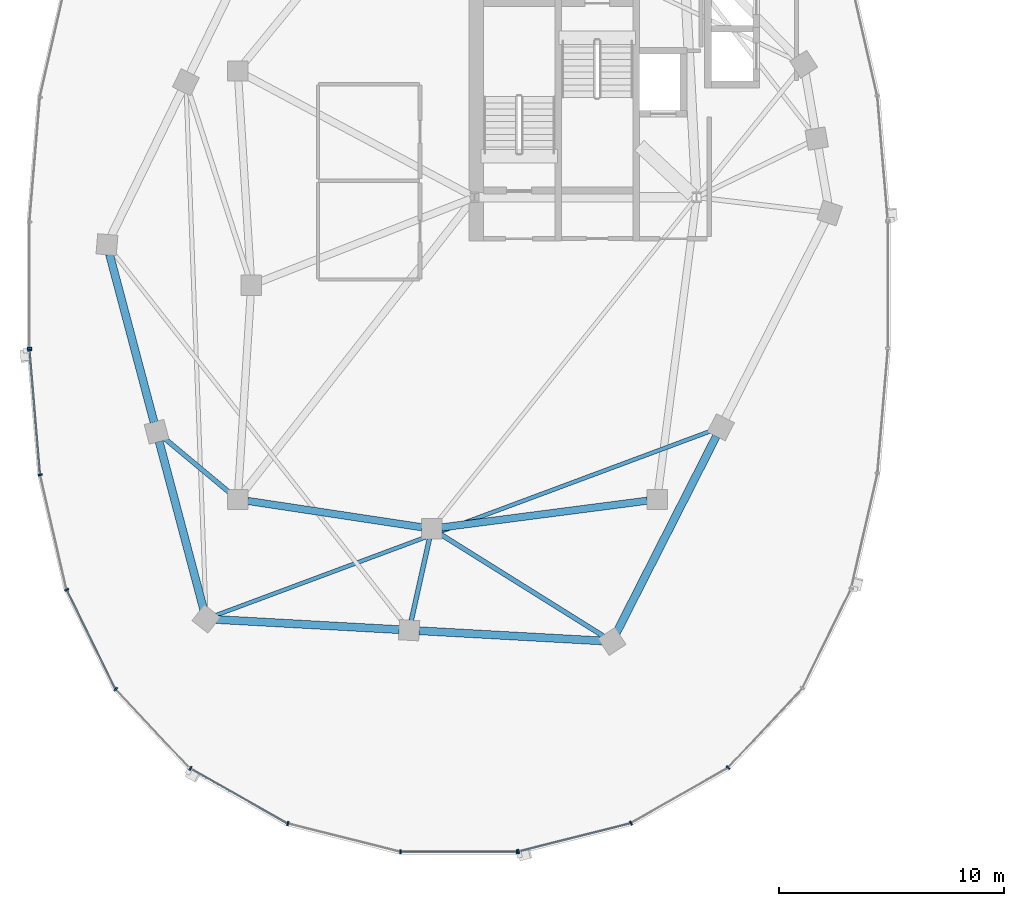
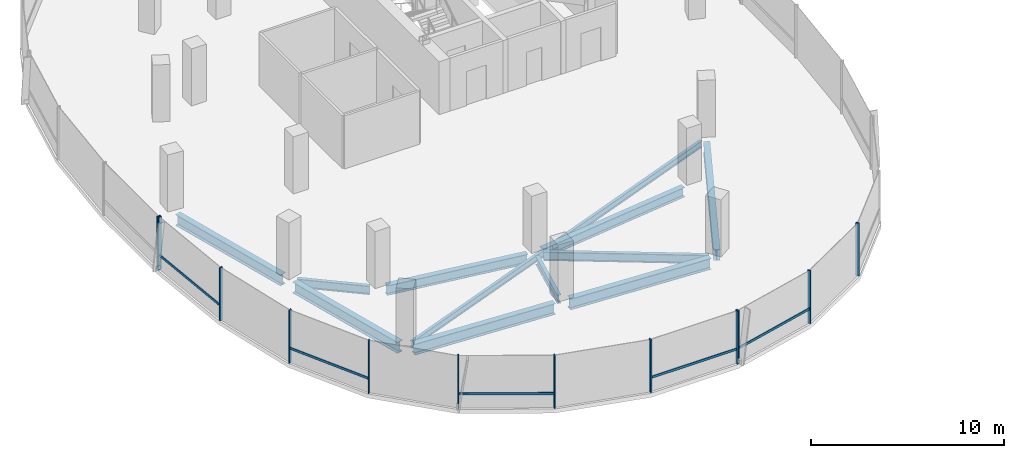
# One storey, part 3 of 24: 17 members, 11 beams, 3 elements without a shape of their own.
"""IFC4 building model written with IfcOpenShell, lengths in metres."""

from ifc_helpers import new_model, si_unit, direction, frame, origin, origin_2d, place, context, subcontext, project, spatial, rectangle, i_section, extrude, material, material_profile, profile_set, type_object, element, aggregate, save


model = new_model("IFC4")

# Units and contexts
model_context = context("Model", 3, precision=1e-05, world=origin(), true_north=direction((0.0, 1.0)))
body_context = subcontext(model_context, "Body", "Model", "MODEL_VIEW")
ifc_project = project(units=[si_unit("LENGTHUNIT", "METRE"), si_unit("AREAUNIT", "SQUARE_METRE"), si_unit("VOLUMEUNIT", "CUBIC_METRE"), si_unit("PLANEANGLEUNIT", "RADIAN"), si_unit("MASSUNIT", "GRAM", prefix="KILO"), si_unit("THERMODYNAMICTEMPERATUREUNIT", "KELVIN"), si_unit("POWERUNIT", "WATT")], contexts=[model_context])

# Site, building, storey
site_placement = place(None, origin())
site = spatial("IfcSite", under=ifc_project, at=site_placement, CompositionType="ELEMENT")
building_placement = place(site_placement, origin())
building = spatial("IfcBuilding", under=site, at=building_placement, Name="Cundina Bronze Exchange", CompositionType="ELEMENT")
storey_placement = place(building_placement, frame((0.0, 0.0, 227.800048828125)))
storey = spatial("IfcBuildingStorey", under=building, at=storey_placement, Name="L60", CompositionType="ELEMENT", Elevation=227.800048828125)

# Beams
ifc_material_1 = material(Name="Steel ASTM A992 Grade 50", Category="steel")
ifc_material_profile_1 = material_profile(ifc_material_1, i_section(OverallWidth=0.2119140625, OverallDepth=0.5439453125, WebThickness=0.01318359375, FlangeThickness=0.021240234375, FilletRadius=0.013916015625, at=origin_2d()), Name="W21X83", Category="steel")
ifc_profile_set_1 = profile_set([ifc_material_profile_1], Name="Steel ASTM A992 Grade 50")
beam_type_1 = type_object("IfcBeamType", Name="BM-FLR-W21A", PredefinedType="BEAM", material=ifc_profile_set_1)
beam_1_placement = place(storey_placement, frame((-42.136474609375, -9.219482421875, -0.531982421875), z_axis=(-0.768247540987, 0.640152884683, 0.0), x_axis=(-0.640152884683, -0.768247540987, 0.0)))
element("IfcBeam", 1, at=beam_1_placement, inside=storey, type_object=beam_type_1, Name="L60 Leg W Radial Floor Beam 09", PredefinedType="BEAM", context=body_context, shape_type="SweptSolid", body=[
    extrude(i_section(OverallWidth=0.2119140625, OverallDepth=0.5439453125, WebThickness=0.01318359375, FlangeThickness=0.021240234375, FilletRadius=0.013916015625, at=origin_2d()), origin(), (0.0, 0.0, 1.0), 3.81005859375),
])
beam_2_placement = place(storey_placement, frame((-33.294921875, -11.2275390625, -0.531982421875), z_axis=(-0.216958151571, -0.976180905605, 0.0), x_axis=(0.976180905605, -0.216958151571, 0.0)))
element("IfcBeam", 2, at=beam_2_placement, inside=storey, type_object=beam_type_1, Name="L60 Leg W Radial Floor Beam 11", PredefinedType="BEAM", context=body_context, shape_type="SweptSolid", body=[
    extrude(i_section(OverallWidth=0.2119140625, OverallDepth=0.5439453125, WebThickness=0.01318359375, FlangeThickness=0.021240234375, FilletRadius=0.013916015625, at=origin_2d()), origin(), (0.0, 0.0, 1.0), 3.733642578125),
])
beam_3_placement = place(storey_placement, frame((-32.82861328125, -11.031982421875, -0.531982421875), z_axis=(0.847995098703, -0.530004068452, 0.0), x_axis=(0.530004068452, 0.847995098703, 0.0)))
element("IfcBeam", 3, at=beam_3_placement, inside=storey, type_object=beam_type_1, Name="L60 Leg W Radial Floor Beam 12", PredefinedType="BEAM", context=body_context, shape_type="SweptSolid", body=[
    extrude(i_section(OverallWidth=0.2119140625, OverallDepth=0.5439453125, WebThickness=0.01318359375, FlangeThickness=0.021240234375, FilletRadius=0.013916015625, at=origin_2d()), origin(), (0.0, 0.0, 1.0), 8.55810546875),
])
ifc_material_profile_2 = material_profile(ifc_material_1, i_section(OverallWidth=0.178955078125, OverallDepth=0.409912109375, WebThickness=0.0087890625, FlangeThickness=0.014404296875, FilletRadius=0.010986328125, at=origin_2d()), Name="W16X45", Category="steel")
ifc_profile_set_2 = profile_set([ifc_material_profile_2], Name="Steel ASTM A992 Grade 50")
beam_type_2 = type_object("IfcBeamType", Name="BM-JST-W16", PredefinedType="JOIST", material=ifc_profile_set_2)
beam_4_placement = place(storey_placement, frame((-42.78955078125, -14.647216796875, -0.465087890625), z_axis=(0.937127927239, 0.348986028358, 0.0), x_axis=(-0.348986028358, 0.937127927239, 0.0)))
element("IfcBeam", 4, at=beam_4_placement, inside=storey, type_object=beam_type_2, Name="L60 Leg W Lobe Floor Joist 10-13", PredefinedType="JOIST", context=body_context, shape_type="SweptSolid", body=[
    extrude(i_section(OverallWidth=0.178955078125, OverallDepth=0.409912109375, WebThickness=0.0087890625, FlangeThickness=0.014404296875, FilletRadius=0.010986328125, at=origin_2d()), origin(), (0.0, 0.0, 1.0), 23.48046875),
])
ifc_material_profile_3 = material_profile(ifc_material_1, i_section(OverallWidth=0.324951171875, OverallDepth=0.615966796875, WebThickness=0.013916015625, FlangeThickness=0.021484375, FilletRadius=0.01611328125, at=origin_2d()), Name="W24X117", Category="steel")
ifc_profile_set_3 = profile_set([ifc_material_profile_3], Name="Steel ASTM A992 Grade 50")
beam_type_3 = type_object("IfcBeamType", Name="BM-RING-W24", PredefinedType="USERDEFINED", material=ifc_profile_set_3)
beam_5_placement = place(storey_placement, frame((-41.366943359375, -9.5654296875, -0.568115234375), z_axis=(0.988764903598, -0.149478979839, 0.0), x_axis=(0.149478979839, 0.988764903598, 0.0)))
element("IfcBeam", 5, at=beam_5_placement, inside=storey, type_object=beam_type_3, Name="L60 W Inner Structural Ring Girder 05", ObjectType="GIRDER", PredefinedType="USERDEFINED", context=body_context, shape_type="SweptSolid", body=[
    extrude(i_section(OverallWidth=0.324951171875, OverallDepth=0.615966796875, WebThickness=0.013916015625, FlangeThickness=0.021484375, FilletRadius=0.01611328125, at=origin_2d()), origin(), (0.0, 0.0, 1.0), 7.82177734375),
])
beam_6_placement = place(storey_placement, frame((-32.765625, -10.743408203125, -0.568115234375), z_axis=(0.991656498582, 0.128908451316, 0.0), x_axis=(-0.128908451316, 0.991656498582, 0.0)))
element("IfcBeam", 6, at=beam_6_placement, inside=storey, type_object=beam_type_3, Name="L60 W Inner Structural Ring Girder 06", ObjectType="GIRDER", PredefinedType="USERDEFINED", context=body_context, shape_type="SweptSolid", body=[
    extrude(i_section(OverallWidth=0.324951171875, OverallDepth=0.615966796875, WebThickness=0.013916015625, FlangeThickness=0.021484375, FilletRadius=0.01611328125, at=origin_2d()), origin(), (0.0, 0.0, 1.0), 9.208251953125),
])
ifc_material_profile_4 = material_profile(ifc_material_1, i_section(OverallWidth=0.35498046875, OverallDepth=0.695068359375, WebThickness=0.015380859375, FlangeThickness=0.02490234375, FilletRadius=0.01806640625, at=origin_2d()), Name="W27X146", Category="steel")
ifc_profile_set_4 = profile_set([ifc_material_profile_4], Name="Steel ASTM A992 Grade 50")
beam_type_4 = type_object("IfcBeamType", Name="BM-RING-W27", PredefinedType="USERDEFINED", material=ifc_profile_set_4)
for number, where, z_axis, x_axis, name in (
    (7, (-47.48779296875, 1.376708984375, -0.607666015625), (0.256211934474, -0.966620631185, 0.0), (0.966620631185, 0.256211934474, 0.0), "L60 W Perimeter Ring Girder 08"),
    (8, (-45.287841796875, -6.92333984375, -0.607666015625), (0.256211934474, -0.966620631185, 0.0), (0.966620631185, 0.256211934474, 0.0), "L60 W Perimeter Ring Girder 09"),
):
    element("IfcBeam", number, at=place(storey_placement, frame(where, z_axis=z_axis, x_axis=x_axis)), inside=storey, type_object=beam_type_4, Name=name, ObjectType="GIRDER", PredefinedType="USERDEFINED", context=body_context, shape_type="SweptSolid", body=[
        extrude(i_section(OverallWidth=0.35498046875, OverallDepth=0.695068359375, WebThickness=0.015380859375, FlangeThickness=0.02490234375, FilletRadius=0.01806640625, at=origin_2d()), origin(), (0.0, 0.0, 1.0), 7.710693359375),
    ])
for number, where, z_axis, x_axis, name in (
    (9, (-42.7626953125, -14.82421875, -0.607666015625), (0.998460353205, -0.055470019623, 0.0), (0.055470019623, 0.998460353205, 0.0), "L60 W Perimeter Ring Girder 10"),
    (10, (-33.7626953125, -15.32421875, -0.607666015625), (0.998460353205, -0.055470019623, 0.0), (0.055470019623, 0.998460353205, 0.0), "L60 W Perimeter Ring Girder 11"),
):
    element("IfcBeam", number, at=place(storey_placement, frame(where, z_axis=z_axis, x_axis=x_axis)), inside=storey, type_object=beam_type_4, Name=name, ObjectType="GIRDER", PredefinedType="USERDEFINED", context=body_context, shape_type="SweptSolid", body=[
        extrude(i_section(OverallWidth=0.35498046875, OverallDepth=0.695068359375, WebThickness=0.015380859375, FlangeThickness=0.02490234375, FilletRadius=0.01806640625, at=origin_2d()), origin(), (0.0, 0.0, 1.0), 8.137939453125),
    ])
beam_7_placement = place(storey_placement, frame((-25.001708984375, -15.409423828125, -0.607666015625), z_axis=(0.452846871434, 0.891588308039, 0.0), x_axis=(-0.891588308039, 0.452846871434, 0.0)))
element("IfcBeam", 11, at=beam_7_placement, inside=storey, type_object=beam_type_4, Name="L60 W Perimeter Ring Girder 12", ObjectType="GIRDER", PredefinedType="USERDEFINED", context=body_context, shape_type="SweptSolid", body=[
    extrude(i_section(OverallWidth=0.35498046875, OverallDepth=0.695068359375, WebThickness=0.015380859375, FlangeThickness=0.02490234375, FilletRadius=0.01806640625, at=origin_2d()), origin(), (0.0, 0.0, 1.0), 9.779052734375),
])

# Curtain wall, member
ifc_material_2 = material(Name="Anodised Bronze Aluminium 6063-T6", Category="aluminium")
curtain_wall_type = type_object("IfcCurtainWallType", Name="CWS-UPP-OFF", PredefinedType="NOTDEFINED", material=ifc_material_2)
curtain_wall_1_placement = place(storey_placement, origin())
curtain_wall_1 = element("IfcCurtainWall", 12, at=curtain_wall_1_placement, inside=storey, type_object=curtain_wall_type, Name="L60 CW-05 Curtain Wall Run CWR-L60-W2", PredefinedType="NOTDEFINED")
ifc_material_profile_5 = material_profile(ifc_material_2, rectangle(XDim=0.070068359375, YDim=0.18994140625, at=origin_2d()), Name="AL70X190", Category="aluminium")
ifc_profile_set_5 = profile_set([ifc_material_profile_5], Name="Anodised Bronze Aluminium 6063-T6")
member_type_1 = type_object("IfcMemberType", Name="CWM-MUL-190", PredefinedType="MULLION", material=ifc_profile_set_5)
member_1_placement = place(storey_placement, frame((-51.033935546875, -2.794921875, 0.0), z_axis=(0.0, 0.0, 1.0), x_axis=(0.0, -1.0, 0.0)))
member_1 = element("IfcMember", 13, at=member_1_placement, type_object=member_type_1, Name="CW-05 End Mullion", PredefinedType="MULLION", context=body_context, shape_type="SweptSolid", body=[
    extrude(rectangle(XDim=0.070068359375, YDim=0.18994140625, at=origin_2d()), origin(), (0.0, 0.0, 1.0), 3.33984375),
])
aggregate(curtain_wall_1, [member_1])

# Curtain wall, members
curtain_wall_2_placement = place(storey_placement, origin())
curtain_wall_2 = element("IfcCurtainWall", 14, at=curtain_wall_2_placement, inside=storey, type_object=curtain_wall_type, Name="L60 CW-05 Curtain Wall Run CWR-L60-W3", PredefinedType="NOTDEFINED")
member_2_placement = place(storey_placement, frame((-51.0302734375, -2.88330078125, 0.0), z_axis=(0.0, 0.0, 1.0), x_axis=(0.083677843332, -0.99649285925, 0.0)))
member_2 = element("IfcMember", 15, at=member_2_placement, type_object=member_type_1, Name="CW-05 Mullion 1", PredefinedType="MULLION", context=body_context, shape_type="SweptSolid", body=[
    extrude(rectangle(XDim=0.070068359375, YDim=0.18994140625, at=origin_2d()), origin(), (0.0, 0.0, 1.0), 3.33984375),
])
member_3_placement = place(storey_placement, frame((-50.56005859375, -8.4111328125, 0.0), z_axis=(0.0, 0.0, 1.0), x_axis=(0.223250116011, -0.974761194191, 0.0)))
member_3 = element("IfcMember", 16, at=member_3_placement, type_object=member_type_1, Name="CW-05 Mullion 2", PredefinedType="MULLION", context=body_context, shape_type="SweptSolid", body=[
    extrude(rectangle(XDim=0.070068359375, YDim=0.18994140625, at=origin_2d()), origin(), (0.0, 0.0, 1.0), 3.33984375),
])
member_4_placement = place(storey_placement, frame((-49.38427734375, -13.50732421875, 0.0), z_axis=(0.0, 0.0, 1.0), x_axis=(0.440566004113, -0.897720221461, 0.0)))
member_4 = element("IfcMember", 17, at=member_4_placement, type_object=member_type_1, Name="CW-05 Mullion 3", PredefinedType="MULLION", context=body_context, shape_type="SweptSolid", body=[
    extrude(rectangle(XDim=0.070068359375, YDim=0.18994140625, at=origin_2d()), origin(), (0.0, 0.0, 1.0), 3.33984375),
])
member_5_placement = place(storey_placement, frame((-47.209716796875, -17.91796875, 0.0), z_axis=(0.0, 0.0, 1.0), x_axis=(0.684292606175, -0.729207535023, 0.0)))
member_5 = element("IfcMember", 18, at=member_5_placement, type_object=member_type_1, Name="CW-05 Mullion 4", PredefinedType="MULLION", context=body_context, shape_type="SweptSolid", body=[
    extrude(rectangle(XDim=0.070068359375, YDim=0.18994140625, at=origin_2d()), origin(), (0.0, 0.0, 1.0), 3.33984375),
])
member_6_placement = place(storey_placement, frame((-43.899658203125, -21.43115234375, 0.0), z_axis=(0.0, 0.0, 1.0), x_axis=(0.86958112538, -0.493790103568, 0.0)))
member_6 = element("IfcMember", 19, at=member_6_placement, type_object=member_type_1, Name="CW-05 Mullion 5", PredefinedType="MULLION", context=body_context, shape_type="SweptSolid", body=[
    extrude(rectangle(XDim=0.070068359375, YDim=0.18994140625, at=origin_2d()), origin(), (0.0, 0.0, 1.0), 3.33984375),
])
member_7_placement = place(storey_placement, frame((-39.577392578125, -23.87548828125, 0.0), z_axis=(0.0, 0.0, 1.0), x_axis=(0.969744325821, -0.244122802168, 0.0)))
member_7 = element("IfcMember", 20, at=member_7_placement, type_object=member_type_1, Name="CW-05 Mullion 6", PredefinedType="MULLION", context=body_context, shape_type="SweptSolid", body=[
    extrude(rectangle(XDim=0.070068359375, YDim=0.18994140625, at=origin_2d()), origin(), (0.0, 0.0, 1.0), 3.33984375),
])
member_8_placement = place(storey_placement, frame((-34.580078125, -25.125, 0.0), z_axis=(0.0, 0.0, 1.0), x_axis=(1.0, 0.0, 0.0)))
member_8 = element("IfcMember", 21, at=member_8_placement, type_object=member_type_1, Name="CW-05 Mullion 7", PredefinedType="MULLION", context=body_context, shape_type="SweptSolid", body=[
    extrude(rectangle(XDim=0.070068359375, YDim=0.18994140625, at=origin_2d()), origin(), (0.0, 0.0, 1.0), 3.33984375),
])
member_9_placement = place(storey_placement, frame((-29.419921875, -25.125, 0.0), z_axis=(0.0, 0.0, 1.0), x_axis=(1.0, 0.0, 0.0)))
member_9 = element("IfcMember", 22, at=member_9_placement, type_object=member_type_1, Name="CW-05 End Mullion", PredefinedType="MULLION", context=body_context, shape_type="SweptSolid", body=[
    extrude(rectangle(XDim=0.070068359375, YDim=0.18994140625, at=origin_2d()), origin(), (0.0, 0.0, 1.0), 3.33984375),
])

curtain_wall_3_placement = place(storey_placement, origin())
curtain_wall_3 = element("IfcCurtainWall", 23, at=curtain_wall_3_placement, inside=storey, type_object=curtain_wall_type, Name="L60 CW-05 Curtain Wall Run CWR-L60-W4", PredefinedType="NOTDEFINED")
member_10_placement = place(storey_placement, frame((-29.3515625, -25.116455078125, 0.0), z_axis=(0.0, 0.0, 1.0), x_axis=(0.969744325821, 0.244122802168, 0.0)))
member_10 = element("IfcMember", 24, at=member_10_placement, type_object=member_type_1, Name="CW-05 Mullion 1", PredefinedType="MULLION", context=body_context, shape_type="SweptSolid", body=[
    extrude(rectangle(XDim=0.070068359375, YDim=0.18994140625, at=origin_2d()), origin(), (0.0, 0.0, 1.0), 3.33984375),
])
member_11_placement = place(storey_placement, frame((-24.361083984375, -23.850830078125, 0.0), z_axis=(0.0, 0.0, 1.0), x_axis=(0.86958112538, 0.493790103568, 0.0)))
member_11 = element("IfcMember", 25, at=member_11_placement, type_object=member_type_1, Name="CW-05 Mullion 2", PredefinedType="MULLION", context=body_context, shape_type="SweptSolid", body=[
    extrude(rectangle(XDim=0.070068359375, YDim=0.18994140625, at=origin_2d()), origin(), (0.0, 0.0, 1.0), 3.33984375),
])
member_12_placement = place(storey_placement, frame((-20.05126953125, -21.392578125, 0.0), z_axis=(0.0, 0.0, 1.0), x_axis=(0.684292606175, 0.729207535023, 0.0)))
member_12 = element("IfcMember", 26, at=member_12_placement, type_object=member_type_1, Name="CW-05 Mullion 3", PredefinedType="MULLION", context=body_context, shape_type="SweptSolid", body=[
    extrude(rectangle(XDim=0.070068359375, YDim=0.18994140625, at=origin_2d()), origin(), (0.0, 0.0, 1.0), 3.33984375),
])

# Member
ifc_material_profile_6 = material_profile(ifc_material_2, rectangle(XDim=0.06494140625, YDim=0.14990234375, at=origin_2d()), Name="AL65X150", Category="aluminium")
ifc_profile_set_6 = profile_set([ifc_material_profile_6], Name="Anodised Bronze Aluminium 6063-T6")
member_type_2 = type_object("IfcMemberType", Name="CWM-TRN-150", PredefinedType="USERDEFINED", material=ifc_profile_set_6)
member_13_placement = place(storey_placement, frame((-51.027099609375, -2.921630859375, 0.919921875), z_axis=(0.083740331158, -0.996487610027, 0.0), x_axis=(0.996487610027, 0.083740331158, 0.0)))
member_13 = element("IfcMember", 27, at=member_13_placement, type_object=member_type_2, Name="CW-05 Spandrel Transom 1", ObjectType="TRANSOM", PredefinedType="USERDEFINED", context=body_context, shape_type="SweptSolid", body=[
    extrude(rectangle(XDim=0.06494140625, YDim=0.14990234375, at=origin_2d()), origin(), (0.0, 0.0, 1.0), 5.466552734375),
])

member_14_placement = place(storey_placement, frame((-49.3671875, -13.5419921875, 0.919921875), z_axis=(0.440483110889, -0.897760897467, 0.0), x_axis=(0.897760897467, 0.440483110889, 0.0)))
member_14 = element("IfcMember", 28, at=member_14_placement, type_object=member_type_2, Name="CW-05 Spandrel Transom 3", ObjectType="TRANSOM", PredefinedType="USERDEFINED", context=body_context, shape_type="SweptSolid", body=[
    extrude(rectangle(XDim=0.06494140625, YDim=0.14990234375, at=origin_2d()), origin(), (0.0, 0.0, 1.0), 4.855224609375),
])

member_15_placement = place(storey_placement, frame((-43.8662109375, -21.4501953125, 0.919921875), z_axis=(0.869573748083, -0.493803095013, 0.0), x_axis=(0.493803095013, 0.869573748083, 0.0)))
member_15 = element("IfcMember", 29, at=member_15_placement, type_object=member_type_2, Name="CW-05 Spandrel Transom 5", ObjectType="TRANSOM", PredefinedType="USERDEFINED", context=body_context, shape_type="SweptSolid", body=[
    extrude(rectangle(XDim=0.06494140625, YDim=0.14990234375, at=origin_2d()), origin(), (0.0, 0.0, 1.0), 4.900146484375),
])

member_16_placement = place(storey_placement, frame((-34.54150390625, -25.125, 0.919921875), z_axis=(1.0, 0.0, 0.0), x_axis=(0.0, 1.0, 0.0)))
member_16 = element("IfcMember", 30, at=member_16_placement, type_object=member_type_2, Name="CW-05 Spandrel Transom 7", ObjectType="TRANSOM", PredefinedType="USERDEFINED", context=body_context, shape_type="SweptSolid", body=[
    extrude(rectangle(XDim=0.06494140625, YDim=0.14990234375, at=origin_2d()), origin(), (0.0, 0.0, 1.0), 5.0830078125),
])

aggregate(curtain_wall_2, [member_2, member_13, member_3, member_4, member_14, member_5, member_6, member_15, member_7, member_8, member_9, member_16])

member_17_placement = place(storey_placement, frame((-29.314208984375, -25.107177734375, 0.919921875), z_axis=(0.969725738797, 0.244196624699, 0.0), x_axis=(-0.244196624699, 0.969725738797, 0.0)))
member_17 = element("IfcMember", 31, at=member_17_placement, type_object=member_type_2, Name="CW-05 Spandrel Transom 1", ObjectType="TRANSOM", PredefinedType="USERDEFINED", context=body_context, shape_type="SweptSolid", body=[
    extrude(rectangle(XDim=0.06494140625, YDim=0.14990234375, at=origin_2d()), origin(), (0.0, 0.0, 1.0), 5.082763671875),
])

aggregate(curtain_wall_3, [member_10, member_17, member_11, member_12])

save(model, "model.ifc")
